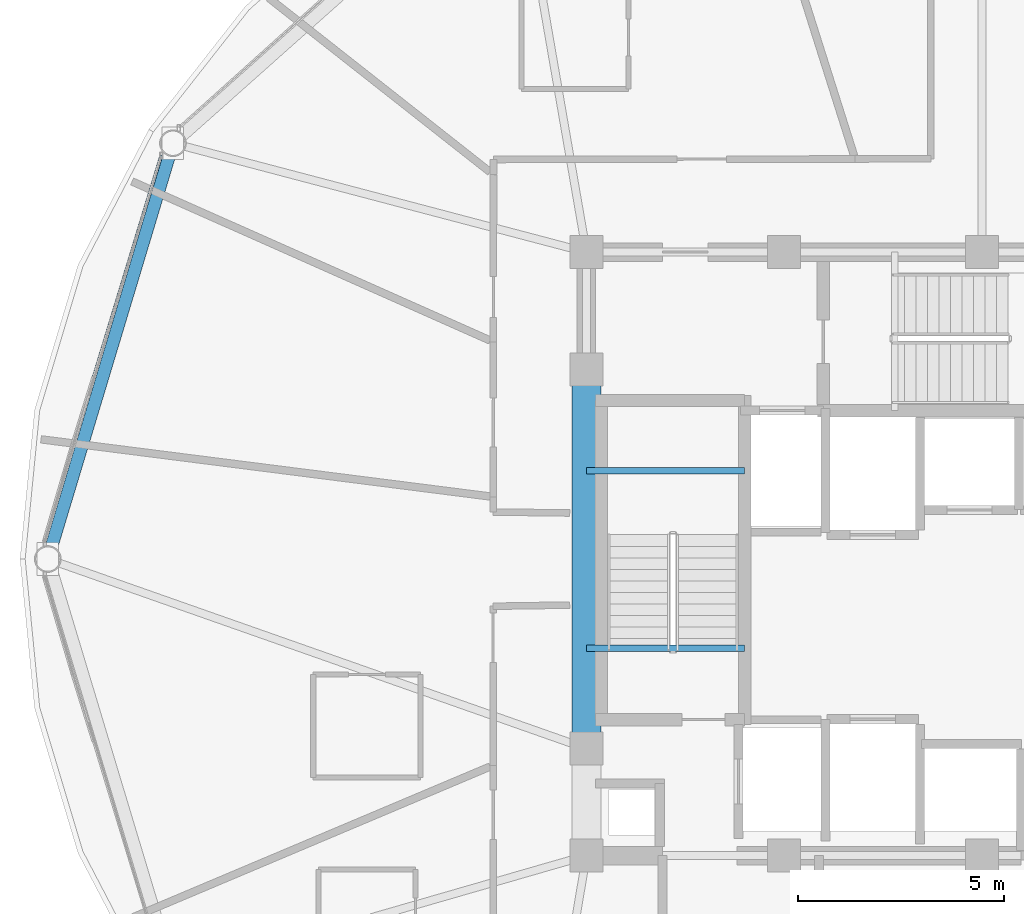
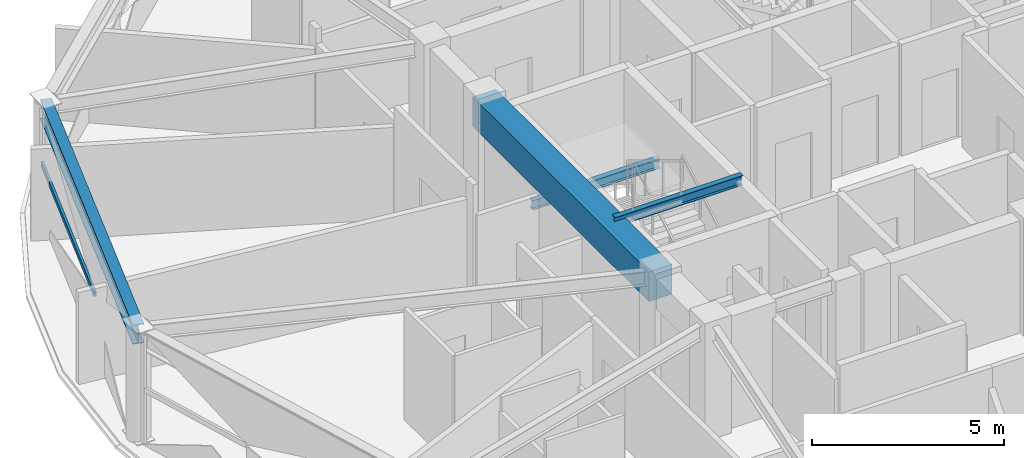
# One storey, part 8 of 30: 4 beams, 1 member, 1 element without a shape of its own.
"""IFC4 building model written with IfcOpenShell, lengths in metres."""

from ifc_helpers import new_model, si_unit, direction, frame, origin, origin_2d, place, context, subcontext, project, spatial, rectangle, hollow_rectangle, i_section, extrude, material, layer, layer_set, material_profile, profile_set, type_object, element, aggregate, save


model = new_model("IFC4")

# Units and contexts
model_context = context("Model", 3, precision=1e-05, world=origin(), true_north=direction((0.0, 1.0)))
body_context = subcontext(model_context, "Body", "Model", "MODEL_VIEW")
ifc_project = project(units=[si_unit("LENGTHUNIT", "METRE"), si_unit("AREAUNIT", "SQUARE_METRE"), si_unit("VOLUMEUNIT", "CUBIC_METRE"), si_unit("PLANEANGLEUNIT", "RADIAN"), si_unit("MASSUNIT", "GRAM", prefix="KILO")], contexts=[model_context])

# Site, building, storey
site_placement = place(None, origin())
site = spatial("IfcSite", under=ifc_project, at=site_placement, CompositionType="ELEMENT")
building_placement = place(site_placement, origin())
building = spatial("IfcBuilding", under=site, at=building_placement, Name="Vantalir Tower", CompositionType="ELEMENT")
storey_placement = place(building_placement, frame((0.0, 0.0, 193.64990234375)))
storey = spatial("IfcBuildingStorey", under=building, at=storey_placement, Name="L48", CompositionType="ELEMENT", Elevation=193.64990234375)

# Beams
ifc_material_1 = material(Name="Concrete C60/75", Category="concrete")
ifc_material_profile_1 = material_profile(ifc_material_1, rectangle(XDim=0.699951171875, YDim=0.949951171875, at=origin_2d()), Name="Concrete C60/75")
ifc_profile_set_1 = profile_set([ifc_material_profile_1], Name="Concrete C60/75")
beam_type_1 = type_object("IfcBeamType", Name="BM-CB-700x950", PredefinedType="USERDEFINED", material=ifc_profile_set_1)
beam_1_placement = place(storey_placement, frame((21.89990234375, 29.60009765625, 3.09521484375), z_axis=(0.0, -1.0, 0.0), x_axis=(1.0, 0.0, 0.0)))
element("IfcBeam", 1, at=beam_1_placement, inside=storey, type_object=beam_type_1, Name="L48 Core Coupling Girder 13", ObjectType="GIRDER", PredefinedType="USERDEFINED", context=body_context, shape_type="SweptSolid", body=[
    extrude(rectangle(XDim=0.699951171875, YDim=0.949951171875, at=origin_2d()), origin(), (0.0, 0.0, 1.0), 9.2001953125),
])
ifc_material_2 = material(Name="Steel S355", Category="steel")
ifc_material_profile_2 = material_profile(ifc_material_2, i_section(OverallWidth=0.166015625, OverallDepth=0.306884765625, WebThickness=0.006591796875, FlangeThickness=0.01171875, at=origin_2d()), Name="Steel S355")
ifc_profile_set_2 = profile_set([ifc_material_profile_2], Name="Steel S355")
beam_type_2 = type_object("IfcBeamType", Name="BM-JS-305x165", PredefinedType="JOIST", material=ifc_profile_set_2)
for number, where, z_axis, x_axis, name in (
    (2, (21.89990234375, 22.8349609375, 3.59619140625), (1.0, 0.0, 0.0), (0.0, 1.0, 0.0), "L49 Stair ST1 Well Nosing Trimmer Beam"),
    (3, (21.89990234375, 27.14501953125, 1.52099609375), (1.0, 0.0, 0.0), (0.0, 1.0, 0.0), "L48 Stair ST1 Half-Landing Support Beam"),
):
    element("IfcBeam", number, at=place(storey_placement, frame(where, z_axis=z_axis, x_axis=x_axis)), inside=storey, type_object=beam_type_2, Name=name, PredefinedType="JOIST", context=body_context, shape_type="SweptSolid", body=[
        extrude(i_section(OverallWidth=0.166015625, OverallDepth=0.306884765625, WebThickness=0.006591796875, FlangeThickness=0.01171875, at=origin_2d()), origin(), (0.0, 0.0, 1.0), 3.840087890625),
    ])
ifc_material_3 = material(Name="Steel S460", Category="steel")
ifc_material_profile_3 = material_profile(ifc_material_3, i_section(OverallWidth=0.306884765625, OverallDepth=0.6201171875, WebThickness=0.01416015625, FlangeThickness=0.023681640625, at=origin_2d()), Name="Steel S460")
ifc_profile_set_3 = profile_set([ifc_material_profile_3], Name="Steel S460")
beam_type_3 = type_object("IfcBeamType", Name="BM-RG-610x305", PredefinedType="USERDEFINED", material=ifc_profile_set_3)
beam_2_placement = place(storey_placement, frame((11.862060546875, 35.093994140625, 3.260009765625), z_axis=(-0.288208317462, -0.957567734286, 0.0), x_axis=(0.957567734286, -0.288208317462, 0.0)))
element("IfcBeam", 4, at=beam_2_placement, inside=storey, type_object=beam_type_3, Name="L48 Circumferential Ring Girder 06", ObjectType="GIRDER", PredefinedType="USERDEFINED", context=body_context, shape_type="SweptSolid", body=[
    extrude(i_section(OverallWidth=0.306884765625, OverallDepth=0.6201171875, WebThickness=0.01416015625, FlangeThickness=0.023681640625, at=origin_2d()), origin(), (0.0, 0.0, 1.0), 10.541259765625),
])

# Curtain wall, member
ifc_material_4 = material(Name="Champagne-silver PVDF aluminium and double-silver Low-E glass", Category="aluminium")
ifc_layer = layer(ifc_material_4, 0.2099609375)
ifc_layer_set = layer_set([ifc_layer], Name="Champagne-silver PVDF aluminium and double-silver Low-E glass")
curtain_wall_type = type_object("IfcCurtainWallType", Name="CW-DIAMOND-Z3", PredefinedType="USERDEFINED", material=ifc_layer_set)
curtain_wall_placement = place(storey_placement, origin())
curtain_wall = element("IfcCurtainWall", 5, at=curtain_wall_placement, inside=storey, type_object=curtain_wall_type, Name="L48 Quilted Pyramid-Diamond Curtain Wall S06", ObjectType="UNITISED CURTAIN WALL", PredefinedType="USERDEFINED")
ifc_material_5 = material(Name="Champagne-silver PVDF aluminium 6063-T6", Category="aluminium")
ifc_material_profile_4 = material_profile(ifc_material_5, hollow_rectangle(XDim=0.074951171875, YDim=0.159912109375, WallThickness=0.00390625, at=origin_2d()), Name="Champagne-silver PVDF aluminium 6063-T6")
ifc_profile_set_4 = profile_set([ifc_material_profile_4], Name="Champagne-silver PVDF aluminium 6063-T6")
member_type = type_object("IfcMemberType", Name="CWT-160x75", PredefinedType="USERDEFINED", material=ifc_profile_set_4)
member_placement = place(storey_placement, frame((11.5791015625, 34.7958984375, 1.78515625), z_axis=(-0.291614579356, -0.956535904766, 0.0), x_axis=(0.956535904766, -0.291614579356, 0.0)))
member = element("IfcMember", 6, at=member_placement, type_object=member_type, Name="CW-L48-S06 Pyramid Fold Ridge Transom", ObjectType="TRANSOM", PredefinedType="USERDEFINED", context=body_context, shape_type="SweptSolid", body=[
    extrude(hollow_rectangle(XDim=0.074951171875, YDim=0.159912109375, WallThickness=0.00390625, at=origin_2d()), origin(), (0.0, 0.0, 1.0), 6.090576171875),
])
aggregate(curtain_wall, [member])

save(model, "model.ifc")
